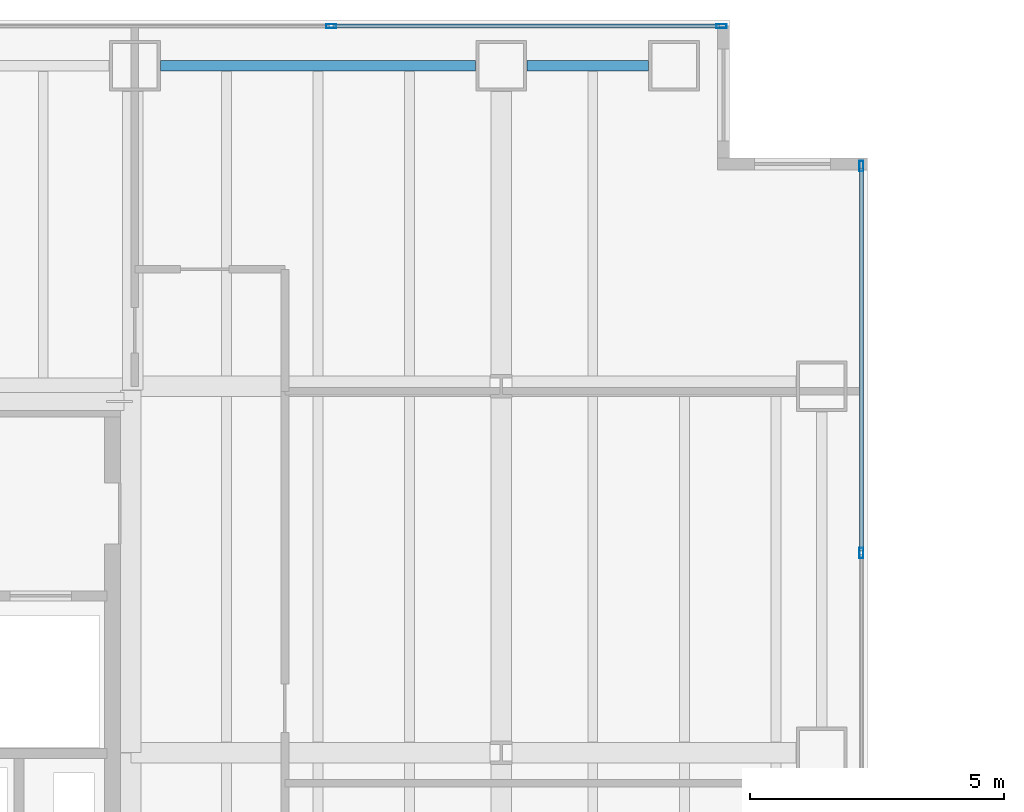
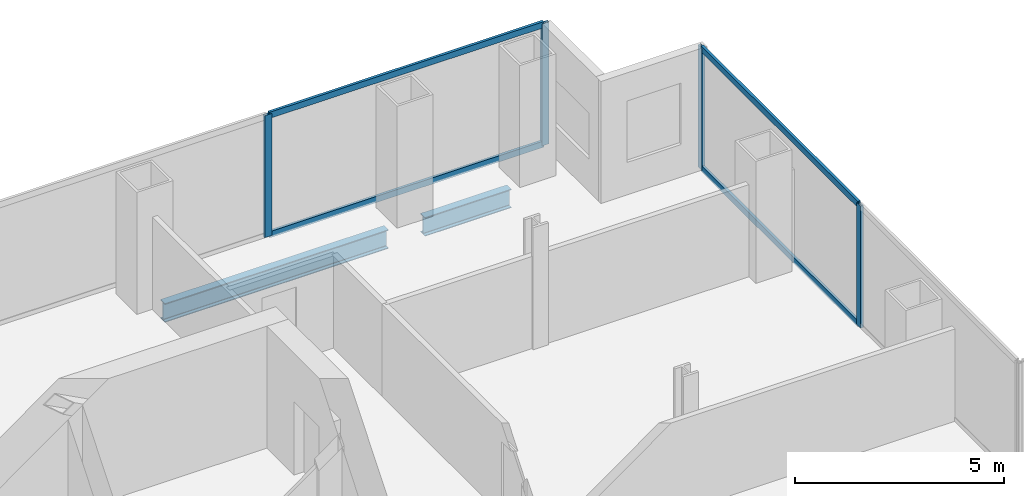
# One storey, part 18 of 23: 8 members, 2 beams, 2 elements without a shape of their own.
"""IFC4 building model written with IfcOpenShell, lengths in metres."""

from ifc_helpers import new_model, si_unit, direction, frame, origin, origin_2d, place, context, subcontext, project, spatial, hollow_rectangle, i_section, extrude, material, material_profile, profile_set, type_object, element, aggregate, save


model = new_model("IFC4")

# Units and contexts
model_context = context("Model", 3, precision=1e-05, world=origin(), true_north=direction((0.0, 1.0)))
body_context = subcontext(model_context, "Body", "Model", "MODEL_VIEW")
ifc_project = project(units=[si_unit("LENGTHUNIT", "METRE"), si_unit("AREAUNIT", "SQUARE_METRE"), si_unit("VOLUMEUNIT", "CUBIC_METRE"), si_unit("PLANEANGLEUNIT", "RADIAN"), si_unit("MASSUNIT", "GRAM", prefix="KILO")], contexts=[model_context])

# Site, building, storey
site_placement = place(None, origin())
site = spatial("IfcSite", under=ifc_project, at=site_placement, CompositionType="ELEMENT")
building_placement = place(site_placement, origin())
building = spatial("IfcBuilding", under=site, at=building_placement, Name="Cobrela Telecom Tower", CompositionType="ELEMENT")
storey_placement = place(building_placement, frame((0.0, 0.0, 65.800048828125)))
storey = spatial("IfcBuildingStorey", under=building, at=storey_placement, Name="L16", CompositionType="ELEMENT", Elevation=65.800048828125)

# Beams
ifc_material_1 = material(Name="Steel ASTM A992 Grade 50", Category="steel")
ifc_material_profile_1 = material_profile(ifc_material_1, i_section(OverallWidth=0.212890625, OverallDepth=0.549072265625, WebThickness=0.0146484375, FlangeThickness=0.023681640625, FilletRadius=0.013916015625, at=origin_2d()), Name="W21X93")
ifc_profile_set_1 = profile_set([ifc_material_profile_1], Name="Steel ASTM A992 Grade 50")
beam_type = type_object("IfcBeamType", Name="BM-SPAND-03", PredefinedType="SPANDREL", material=ifc_profile_set_1)
beam_1_placement = place(storey_placement, frame((14.905029296875, 42.300048828125, -0.554443359375), z_axis=(1.0, 0.0, 0.0), x_axis=(0.0, 1.0, 0.0)))
element("IfcBeam", 1, at=beam_1_placement, inside=storey, type_object=beam_type, Name="L16 Perimeter Spandrel X30", PredefinedType="SPANDREL", context=body_context, shape_type="SweptSolid", body=[
    extrude(i_section(OverallWidth=0.212890625, OverallDepth=0.549072265625, WebThickness=0.0146484375, FlangeThickness=0.023681640625, FilletRadius=0.013916015625, at=origin_2d()), origin(), (0.0, 0.0, 1.0), 6.18994140625),
])
beam_2_placement = place(storey_placement, frame((22.10498046875, 42.300048828125, -0.554443359375), z_axis=(1.0, 0.0, 0.0), x_axis=(0.0, 1.0, 0.0)))
element("IfcBeam", 2, at=beam_2_placement, inside=storey, type_object=beam_type, Name="L16 Perimeter Spandrel X31", PredefinedType="SPANDREL", context=body_context, shape_type="SweptSolid", body=[
    extrude(i_section(OverallWidth=0.212890625, OverallDepth=0.549072265625, WebThickness=0.0146484375, FlangeThickness=0.023681640625, FilletRadius=0.013916015625, at=origin_2d()), origin(), (0.0, 0.0, 1.0), 2.39013671875),
])

# Curtain wall, members
ifc_material_2 = material(Name="Anodized Bronze Aluminium 6063-T6", Category="aluminium")
curtain_wall_type = type_object("IfcCurtainWallType", Name="CW-SYS-DATA", PredefinedType="USERDEFINED", material=ifc_material_2)
curtain_wall_1_placement = place(storey_placement, origin())
curtain_wall_1 = element("IfcCurtainWall", 3, at=curtain_wall_1_placement, inside=storey, type_object=curtain_wall_type, Name="L16 Unitised Bronze Curtain Wall 07", ObjectType="UNITISED CURTAIN WALL", PredefinedType="USERDEFINED")
ifc_material_profile_2 = material_profile(ifc_material_2, hollow_rectangle(XDim=0.080078125, YDim=0.199951171875, WallThickness=0.00390625, at=origin_2d()), Name="ALU 80x200x4")
ifc_profile_set_2 = profile_set([ifc_material_profile_2], Name="Anodized Bronze Aluminium 6063-T6")
member_type_1 = type_object("IfcMemberType", Name="CW-SYS-DATA-MUL", PredefinedType="MULLION", material=ifc_profile_set_2)
member_1_placement = place(storey_placement, frame((18.256591796875, 43.080078125, 0.0), z_axis=(0.0, 0.0, 1.0), x_axis=(0.0, 1.0, 0.0)))
member_1 = element("IfcMember", 4, at=member_1_placement, type_object=member_type_1, Name="CW-DATA mullion 3", PredefinedType="MULLION", context=body_context, shape_type="SweptSolid", body=[
    extrude(hollow_rectangle(XDim=0.080078125, YDim=0.199951171875, WallThickness=0.00390625, at=origin_2d()), origin(), (0.0, 0.0, 1.0), 3.570068359375),
])
member_2_placement = place(storey_placement, frame((25.929931640625, 43.080078125, 0.0), z_axis=(0.0, 0.0, 1.0), x_axis=(0.0, 1.0, 0.0)))
member_2 = element("IfcMember", 5, at=member_2_placement, type_object=member_type_1, Name="CW-DATA mullion 4", PredefinedType="MULLION", context=body_context, shape_type="SweptSolid", body=[
    extrude(hollow_rectangle(XDim=0.080078125, YDim=0.199951171875, WallThickness=0.00390625, at=origin_2d()), origin(), (0.0, 0.0, 1.0), 3.570068359375),
])

curtain_wall_2_placement = place(storey_placement, origin())
curtain_wall_2 = element("IfcCurtainWall", 6, at=curtain_wall_2_placement, inside=storey, type_object=curtain_wall_type, Name="L16 Unitised Bronze Curtain Wall 10", ObjectType="UNITISED CURTAIN WALL", PredefinedType="USERDEFINED")
member_3_placement = place(storey_placement, frame((28.679931640625, 40.330078125, 0.0), z_axis=(0.0, 0.0, 1.0), x_axis=(1.0, 0.0, 0.0)))
member_3 = element("IfcMember", 7, at=member_3_placement, type_object=member_type_1, Name="CW-DATA mullion 1", PredefinedType="MULLION", context=body_context, shape_type="SweptSolid", body=[
    extrude(hollow_rectangle(XDim=0.080078125, YDim=0.199951171875, WallThickness=0.00390625, at=origin_2d()), origin(), (0.0, 0.0, 1.0), 3.570068359375),
])
member_4_placement = place(storey_placement, frame((28.679931640625, 32.72509765625, 0.0), z_axis=(0.0, 0.0, 1.0), x_axis=(1.0, 0.0, 0.0)))
member_4 = element("IfcMember", 8, at=member_4_placement, type_object=member_type_1, Name="CW-DATA mullion 2", PredefinedType="MULLION", context=body_context, shape_type="SweptSolid", body=[
    extrude(hollow_rectangle(XDim=0.080078125, YDim=0.199951171875, WallThickness=0.00390625, at=origin_2d()), origin(), (0.0, 0.0, 1.0), 3.570068359375),
])

# Member
ifc_material_profile_3 = material_profile(ifc_material_2, hollow_rectangle(XDim=0.074951171875, YDim=0.179931640625, WallThickness=0.00390625, at=origin_2d()), Name="ALU 75x180x4")
ifc_profile_set_3 = profile_set([ifc_material_profile_3], Name="Anodized Bronze Aluminium 6063-T6")
member_type_2 = type_object("IfcMemberType", Name="CW-SYS-DATA-TRN", PredefinedType="USERDEFINED", material=ifc_profile_set_3)
member_5_placement = place(storey_placement, frame((18.296630859375, 43.080078125, 0.037353515625), z_axis=(1.0, 0.0, 0.0), x_axis=(0.0, 1.0, 0.0)))
member_5 = element("IfcMember", 9, at=member_5_placement, type_object=member_type_2, Name="CW-DATA transom 3.1", ObjectType="TRANSOM", PredefinedType="USERDEFINED", context=body_context, shape_type="SweptSolid", body=[
    extrude(hollow_rectangle(XDim=0.074951171875, YDim=0.179931640625, WallThickness=0.00390625, at=origin_2d()), origin(), (0.0, 0.0, 1.0), 7.59326171875),
])

member_6_placement = place(storey_placement, frame((18.296630859375, 43.080078125, 3.532470703125), z_axis=(1.0, 0.0, 0.0), x_axis=(0.0, 1.0, 0.0)))
member_6 = element("IfcMember", 10, at=member_6_placement, type_object=member_type_2, Name="CW-DATA transom 3.2", ObjectType="TRANSOM", PredefinedType="USERDEFINED", context=body_context, shape_type="SweptSolid", body=[
    extrude(hollow_rectangle(XDim=0.074951171875, YDim=0.179931640625, WallThickness=0.00390625, at=origin_2d()), origin(), (0.0, 0.0, 1.0), 7.59326171875),
])

aggregate(curtain_wall_1, [member_1, member_2, member_5, member_6])

member_7_placement = place(storey_placement, frame((28.679931640625, 40.2900390625, 0.037353515625), z_axis=(0.0, -1.0, 0.0), x_axis=(1.0, 0.0, 0.0)))
member_7 = element("IfcMember", 11, at=member_7_placement, type_object=member_type_2, Name="CW-DATA transom 1.1", ObjectType="TRANSOM", PredefinedType="USERDEFINED", context=body_context, shape_type="SweptSolid", body=[
    extrude(hollow_rectangle(XDim=0.074951171875, YDim=0.179931640625, WallThickness=0.00390625, at=origin_2d()), origin(), (0.0, 0.0, 1.0), 7.525146484375),
])

member_8_placement = place(storey_placement, frame((28.679931640625, 40.2900390625, 3.532470703125), z_axis=(0.0, -1.0, 0.0), x_axis=(1.0, 0.0, 0.0)))
member_8 = element("IfcMember", 12, at=member_8_placement, type_object=member_type_2, Name="CW-DATA transom 1.2", ObjectType="TRANSOM", PredefinedType="USERDEFINED", context=body_context, shape_type="SweptSolid", body=[
    extrude(hollow_rectangle(XDim=0.074951171875, YDim=0.179931640625, WallThickness=0.00390625, at=origin_2d()), origin(), (0.0, 0.0, 1.0), 7.525146484375),
])

aggregate(curtain_wall_2, [member_3, member_4, member_7, member_8])

save(model, "model.ifc")
